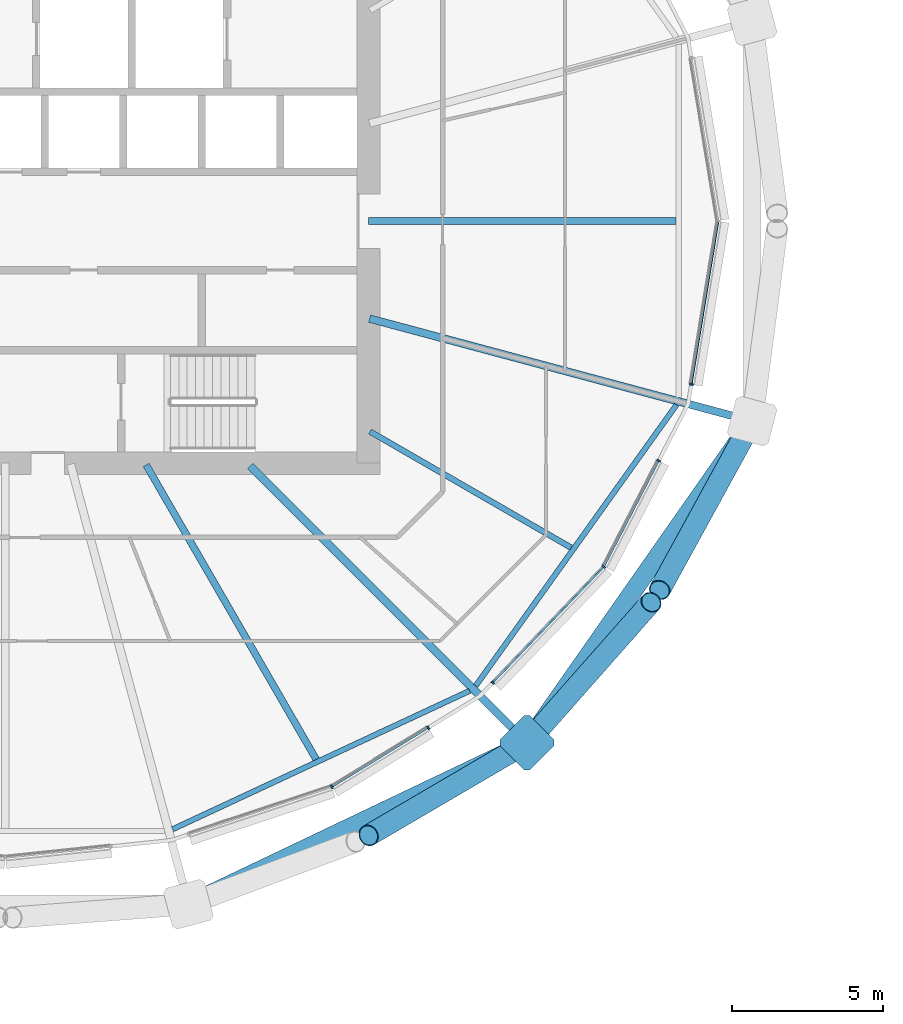
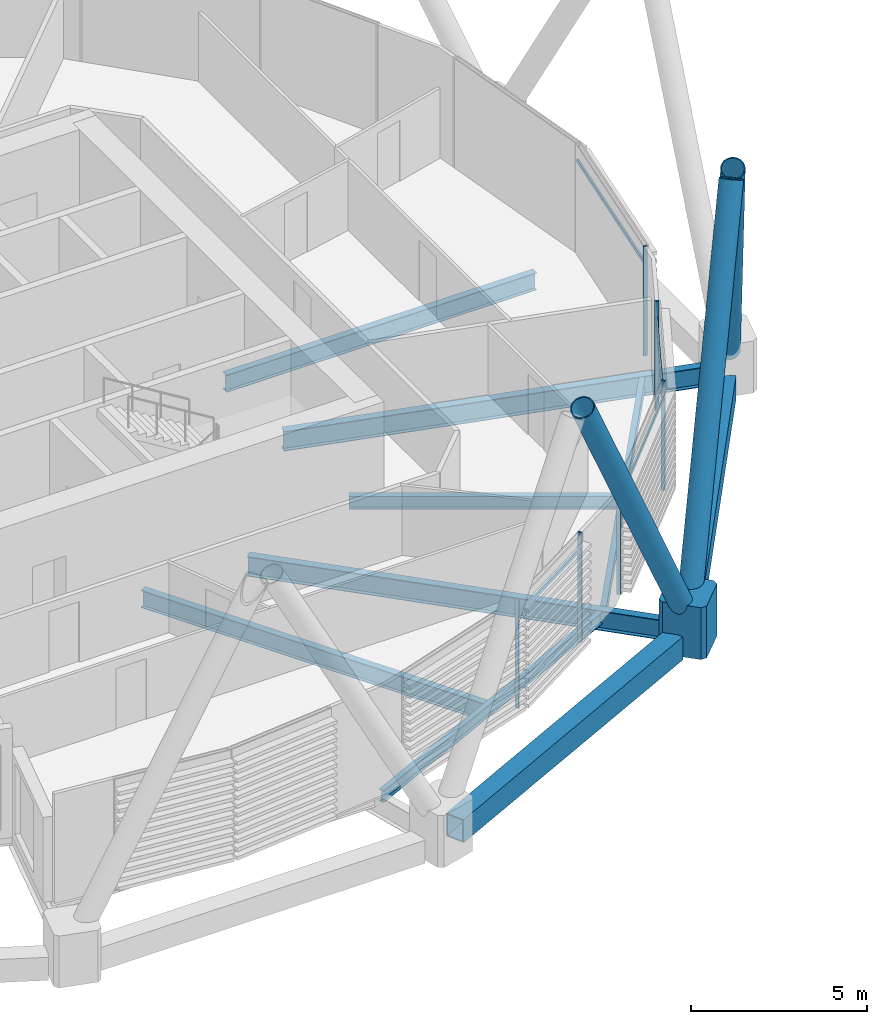
# One storey, part 7 of 38: 14 members, 9 beams, 1 element without a shape of its own.
"""IFC4 building model written with IfcOpenShell, lengths in metres."""

from ifc_helpers import new_model, si_unit, direction, frame, origin, origin_2d, place, context, subcontext, project, spatial, polyline, rectangle, hollow_rectangle, hollow_circle, i_section, outline, extrude, material, material_profile, profile_set, type_object, element, aggregate, save


model = new_model("IFC4")

# Units and contexts
model_context = context("Model", 3, precision=1e-05, world=origin(), true_north=direction((0.0, 1.0)))
body_context = subcontext(model_context, "Body", "Model", "MODEL_VIEW")
ifc_project = project(units=[si_unit("LENGTHUNIT", "METRE"), si_unit("AREAUNIT", "SQUARE_METRE"), si_unit("VOLUMEUNIT", "CUBIC_METRE"), si_unit("PLANEANGLEUNIT", "RADIAN"), si_unit("MASSUNIT", "GRAM", prefix="KILO")], contexts=[model_context])

# Site, building, storey
site_placement = place(None, origin())
site = spatial("IfcSite", under=ifc_project, at=site_placement, CompositionType="ELEMENT")
building_placement = place(site_placement, origin())
building = spatial("IfcBuilding", under=site, at=building_placement, Name="Rimbun Link Towers", CompositionType="ELEMENT")
storey_placement = place(building_placement, frame((0.0, 0.0, 93.0)))
storey = spatial("IfcBuildingStorey", under=building, at=storey_placement, Name="L22", CompositionType="ELEMENT", Elevation=93.0)

# Curtain wall, members
ifc_material_1 = material(Name="Aluminium 6063-T6 and low-iron glass", Category="aluminium")
curtain_wall_type = type_object("IfcCurtainWallType", Name="CW1-Z2 unitised vision wall (zone 2)", PredefinedType="NOTDEFINED", material=ifc_material_1)
curtain_wall_placement = place(storey_placement, origin())
curtain_wall = element("IfcCurtainWall", 1, at=curtain_wall_placement, inside=storey, type_object=curtain_wall_type, Name="CW1 L22 T1", PredefinedType="NOTDEFINED")
ifc_material_2 = material(Name="Aluminium 6063-T6", Category="aluminium")
ifc_material_profile_1 = material_profile(ifc_material_2, rectangle(XDim=0.1201171875, YDim=0.06005859375, at=origin_2d()), Name="MULLION 60X120")
ifc_profile_set_1 = profile_set([ifc_material_profile_1], Name="Aluminium 6063-T6")
member_type_1 = type_object("IfcMemberType", Name="CW1 mullion 60X120", PredefinedType="MULLION", material=ifc_profile_set_1)
member_1_placement = place(storey_placement, frame((-20.959716796875, -18.699951171875, 0.0), z_axis=(0.0, 0.0, 1.0), x_axis=(0.421698890318, -0.906735929532, 0.0)))
member_1 = element("IfcMember", 2, at=member_1_placement, type_object=member_type_1, Name="CW1 mullion", PredefinedType="MULLION", context=body_context, shape_type="SweptSolid", body=[
    extrude(rectangle(XDim=0.1201171875, YDim=0.06005859375, at=origin_2d()), origin(), (0.0, 0.0, 1.0), 3.800048828125),
])
member_2_placement = place(storey_placement, frame((-17.775390625, -16.7451171875, 0.0), z_axis=(0.0, 0.0, 1.0), x_axis=(0.523239240316, -0.852185835011, 0.0)))
member_2 = element("IfcMember", 3, at=member_2_placement, type_object=member_type_1, Name="CW1 mullion", PredefinedType="MULLION", context=body_context, shape_type="SweptSolid", body=[
    extrude(rectangle(XDim=0.1201171875, YDim=0.06005859375, at=origin_2d()), origin(), (0.0, 0.0, 1.0), 3.800048828125),
])
member_3_placement = place(storey_placement, frame((-11.972412109375, -11.42529296875, 0.0), z_axis=(0.0, 0.0, 1.0), x_axis=(0.813351214919, -0.581772980801, 0.0)))
member_3 = element("IfcMember", 4, at=member_3_placement, type_object=member_type_1, Name="CW1 mullion", PredefinedType="MULLION", context=body_context, shape_type="SweptSolid", body=[
    extrude(rectangle(XDim=0.1201171875, YDim=0.06005859375, at=origin_2d()), origin(), (0.0, 0.0, 1.0), 3.800048828125),
])
member_4_placement = place(storey_placement, frame((-15.643798828125, -15.256103515625, 0.0), z_axis=(0.0, 0.0, 1.0), x_axis=(0.721854427226, -0.692044930546, 0.0)))
member_4 = element("IfcMember", 5, at=member_4_placement, type_object=member_type_1, Name="CW1 mullion", PredefinedType="MULLION", context=body_context, shape_type="SweptSolid", body=[
    extrude(rectangle(XDim=0.1201171875, YDim=0.06005859375, at=origin_2d()), origin(), (0.0, 0.0, 1.0), 3.800048828125),
])
member_5_placement = place(storey_placement, frame((-10.158935546875, -7.92236328125, 0.0), z_axis=(0.0, 0.0, 1.0), x_axis=(0.888148629228, -0.45955632125, 0.0)))
member_5 = element("IfcMember", 6, at=member_5_placement, type_object=member_type_1, Name="CW1 mullion", PredefinedType="MULLION", context=body_context, shape_type="SweptSolid", body=[
    extrude(rectangle(XDim=0.1201171875, YDim=0.06005859375, at=origin_2d()), origin(), (0.0, 0.0, 1.0), 3.800048828125),
])
member_6_placement = place(storey_placement, frame((-9.08251953125, -5.39794921875, 0.0), z_axis=(0.0, 0.0, 1.0), x_axis=(0.986748097792, -0.162259642251, 0.0)))
member_6 = element("IfcMember", 7, at=member_6_placement, type_object=member_type_1, Name="CW1 mullion", PredefinedType="MULLION", context=body_context, shape_type="SweptSolid", body=[
    extrude(rectangle(XDim=0.1201171875, YDim=0.06005859375, at=origin_2d()), origin(), (0.0, 0.0, 1.0), 3.800048828125),
])
ifc_material_3 = material(Name="Aluminium 6063-T6", Category="aluminium")
ifc_material_profile_2 = material_profile(ifc_material_3, rectangle(XDim=0.06005859375, YDim=0.1201171875, at=origin_2d()), Name="TRANSOM 60X120")
ifc_profile_set_2 = profile_set([ifc_material_profile_2], Name="Aluminium 6063-T6")
member_type_2 = type_object("IfcMemberType", Name="CW1 transom 60X120", PredefinedType="USERDEFINED", material=ifc_profile_set_2)
member_7_placement = place(storey_placement, frame((-17.802001953125, -16.75927734375, 3.199951171875), z_axis=(-0.85220609578, -0.523206240707, 0.0), x_axis=(0.523206240707, -0.85220609578, 0.0)))
member_7 = element("IfcMember", 8, at=member_7_placement, type_object=member_type_2, Name="CW1 transom", ObjectType="TRANSOM", PredefinedType="USERDEFINED", context=body_context, shape_type="SweptSolid", body=[
    extrude(rectangle(XDim=0.06005859375, YDim=0.1201171875, at=origin_2d()), origin(), (0.0, 0.0, 1.0), 3.66943359375),
])
member_8_placement = place(storey_placement, frame((-12.0, -11.452392578125, 3.199951171875), z_axis=(-0.692056205714, -0.721843617505, 0.0), x_axis=(0.721843617505, -0.692056205714, 0.0)))
member_8 = element("IfcMember", 9, at=member_8_placement, type_object=member_type_2, Name="CW1 transom", ObjectType="TRANSOM", PredefinedType="USERDEFINED", context=body_context, shape_type="SweptSolid", body=[
    extrude(rectangle(XDim=0.06005859375, YDim=0.1201171875, at=origin_2d()), origin(), (0.0, 0.0, 1.0), 5.2373046875),
])
member_9_placement = place(storey_placement, frame((-10.174560546875, -7.947998046875, 3.199951171875), z_axis=(-0.459541145286, -0.888156481589, 0.0), x_axis=(0.888156481589, -0.459541145286, 0.0)))
member_9 = element("IfcMember", 10, at=member_9_placement, type_object=member_type_2, Name="CW1 transom", ObjectType="TRANSOM", PredefinedType="USERDEFINED", context=body_context, shape_type="SweptSolid", body=[
    extrude(rectangle(XDim=0.06005859375, YDim=0.1201171875, at=origin_2d()), origin(), (0.0, 0.0, 1.0), 3.876220703125),
])
member_10_placement = place(storey_placement, frame((-8.203369140625, -0.0390625, 3.199951171875), z_axis=(-0.162250618428, -0.986749581616, 0.0), x_axis=(0.986749581616, -0.162250618428, 0.0)))
member_10 = element("IfcMember", 11, at=member_10_placement, type_object=member_type_2, Name="CW1 transom", ObjectType="TRANSOM", PredefinedType="USERDEFINED", context=body_context, shape_type="SweptSolid", body=[
    extrude(rectangle(XDim=0.06005859375, YDim=0.1201171875, at=origin_2d()), origin(), (0.0, 0.0, 1.0), 5.400390625),
])
aggregate(curtain_wall, [member_1, member_2, member_3, member_4, member_5, member_6, member_7, member_8, member_9, member_10])

# Members
ifc_material_4 = material(Name="Steel S460NH", Category="steel")
ifc_material_profile_3 = material_profile(ifc_material_4, hollow_circle(Radius=0.355712890625, WallThickness=0.031982421875, at=origin_2d()), Name="Diagrid diagonal CHS 711x32")
ifc_profile_set_3 = profile_set([ifc_material_profile_3], Name="Steel S460NH")
member_type_3 = type_object("IfcMemberType", Name="Diagrid diagonal CHS 711x32", PredefinedType="BRACE", material=ifc_profile_set_3)
member_11_placement = place(storey_placement, frame((-14.720458984375, -17.36083984375, 0.4375), z_axis=(-0.417935584377, -0.244636310109, 0.874918809426), x_axis=(0.505165498138, -0.863022490721, 0.0)))
element("IfcMember", 12, at=member_11_placement, inside=storey, type_object=member_type_3, Name="Diagrid diagonal T1 L22-L25 21a", PredefinedType="BRACE", context=body_context, shape_type="SweptSolid", body=[
    extrude(hollow_circle(Radius=0.355712890625, WallThickness=0.031982421875, at=origin_2d()), origin(), (0.0, 0.0, 1.0), 12.029541015625),
])
member_12_placement = place(storey_placement, frame((-14.348876953125, -17.05419921875, 0.435302734375), z_axis=(0.325481387315, 0.368586825062, 0.870750032387), x_axis=(-0.749577782131, 0.661916270034, 0.0)))
element("IfcMember", 13, at=member_12_placement, inside=storey, type_object=member_type_3, Name="Diagrid diagonal T1 L22-L25 21b", PredefinedType="BRACE", context=body_context, shape_type="SweptSolid", body=[
    extrude(hollow_circle(Radius=0.355712890625, WallThickness=0.031982421875, at=origin_2d()), origin(), (0.0, 0.0, 1.0), 12.09228515625),
])
member_13_placement = place(storey_placement, frame((-7.1943359375, -6.83203125, 0.4326171875), z_axis=(-0.241023438842, -0.440152417672, 0.864970260267), x_axis=(0.877106684974, -0.480295599787, 0.0)))
element("IfcMember", 14, at=member_13_placement, inside=storey, type_object=member_type_3, Name="Diagrid diagonal T1 L22-L25 23a", PredefinedType="BRACE", context=body_context, shape_type="SweptSolid", body=[
    extrude(hollow_circle(Radius=0.355712890625, WallThickness=0.031982421875, at=origin_2d()), origin(), (0.0, 0.0, 1.0), 12.179443359375),
])
ifc_material_5 = material(Name="Cast steel G20Mn5+QT, Rp0.2 300 MPa", Category="steel")
ifc_material_profile_4 = material_profile(ifc_material_5, outline(polyline([(0.699951171875, -0.570068359375), (0.699951171875, 0.570068359375), (0.570068359375, 0.699951171875), (-0.570068359375, 0.699951171875), (-0.699951171875, 0.570068359375), (-0.699951171875, -0.570068359375), (-0.570068359375, -0.699951171875), (0.570068359375, -0.699951171875), (0.699951171875, -0.570068359375)])), Name="NODE 1400x1400")
ifc_profile_set_4 = profile_set([ifc_material_profile_4], Name="Cast steel G20Mn5+QT, Rp0.2 300 MPa")
member_type_4 = type_object("IfcMemberType", Name="Diagrid node cast 1400", PredefinedType="USERDEFINED", material=ifc_profile_set_4)
member_14_placement = place(storey_placement, frame((-14.511474609375, -17.238525390625, -0.89990234375), z_axis=(0.0, 0.0, 1.0), x_axis=(0.707106781187, -0.707106781187, 0.0)))
element("IfcMember", 15, at=member_14_placement, inside=storey, type_object=member_type_4, Name="Diagrid node L22 21", ObjectType="Diagrid node", PredefinedType="USERDEFINED", context=body_context, shape_type="SweptSolid", body=[
    extrude(outline(polyline([(0.699951171875, -0.570068359375), (0.699951171875, 0.570068359375), (0.570068359375, 0.699951171875), (-0.570068359375, 0.699951171875), (-0.699951171875, 0.570068359375), (-0.699951171875, -0.570068359375), (-0.570068359375, -0.699951171875), (0.570068359375, -0.699951171875), (0.699951171875, -0.570068359375)])), origin(), (0.0, 0.0, 1.0), 1.7998046875),
])

# Beams
ifc_material_6 = material(Name="Steel S355J2", Category="steel")
ifc_material_profile_5 = material_profile(ifc_material_6, hollow_rectangle(XDim=0.60009765625, YDim=0.800048828125, WallThickness=0.0400390625, at=origin_2d()), Name="Exoskeleton ring girder BOX 600x800x40")
ifc_profile_set_5 = profile_set([ifc_material_profile_5], Name="Steel S355J2")
beam_type_1 = type_object("IfcBeamType", Name="Exoskeleton ring girder BOX 600x800x40", PredefinedType="BEAM", material=ifc_profile_set_5)
beam_1_placement = place(storey_placement, frame((-25.0693359375, -22.273193359375, -0.56005859375), z_axis=(0.902623188498, 0.430431620105, 0.0), x_axis=(-0.430431620105, 0.902623188498, 0.0)))
element("IfcBeam", 16, at=beam_1_placement, inside=storey, type_object=beam_type_1, Name="Exoskeleton ring girder L22 09", PredefinedType="BEAM", context=body_context, shape_type="SweptSolid", body=[
    extrude(hollow_rectangle(XDim=0.60009765625, YDim=0.800048828125, WallThickness=0.0400390625, at=origin_2d()), origin(), (0.0, 0.0, 1.0), 10.996826171875),
])
beam_2_placement = place(storey_placement, frame((-14.110107421875, -16.6650390625, -0.56005859375), z_axis=(0.573401451452, 0.819274542185, 0.0), x_axis=(-0.819274542185, 0.573401451452, 0.0)))
element("IfcBeam", 17, at=beam_2_placement, inside=storey, type_object=beam_type_1, Name="Exoskeleton ring girder L22 10", PredefinedType="BEAM", context=body_context, shape_type="SweptSolid", body=[
    extrude(hollow_rectangle(XDim=0.60009765625, YDim=0.800048828125, WallThickness=0.0400390625, at=origin_2d()), origin(), (0.0, 0.0, 1.0), 11.57080078125),
])
ifc_material_7 = material(Name="Steel S355J2", Category="steel")
ifc_material_profile_6 = material_profile(ifc_material_7, i_section(OverallWidth=0.177978515625, OverallDepth=0.406494140625, WebThickness=0.0078125, FlangeThickness=0.0126953125, at=origin_2d()), Name="UB 406x178x60")
ifc_profile_set_6 = profile_set([ifc_material_profile_6], Name="Steel S355J2")
beam_type_2 = type_object("IfcBeamType", Name="UB 406x178x60", PredefinedType="BEAM", material=ifc_profile_set_6)
beam_3_placement = place(storey_placement, frame((-26.225341796875, -20.09912109375, -0.36328125), z_axis=(0.906386298275, 0.422449853, 0.0), x_axis=(-0.422449853, 0.906386298275, 0.0)))
element("IfcBeam", 18, at=beam_3_placement, inside=storey, type_object=beam_type_2, Name="Edge beam T1 L22 19-21", PredefinedType="BEAM", context=body_context, shape_type="SweptSolid", body=[
    extrude(i_section(OverallWidth=0.177978515625, OverallDepth=0.406494140625, WebThickness=0.0078125, FlangeThickness=0.0126953125, at=origin_2d()), origin(), (0.0, 0.0, 1.0), 10.831787109375),
])
beam_4_placement = place(storey_placement, frame((-16.208740234375, -15.3603515625, -0.36328125), z_axis=(0.581367694083, 0.813640955383, 0.0), x_axis=(-0.813640955383, 0.581367694083, 0.0)))
element("IfcBeam", 19, at=beam_4_placement, inside=storey, type_object=beam_type_2, Name="Edge beam T1 L22 21-23", PredefinedType="BEAM", context=body_context, shape_type="SweptSolid", body=[
    extrude(i_section(OverallWidth=0.177978515625, OverallDepth=0.406494140625, WebThickness=0.0078125, FlangeThickness=0.0126953125, at=origin_2d()), origin(), (0.0, 0.0, 1.0), 11.412841796875),
])
ifc_material_8 = material(Name="Steel S355J2", Category="steel")
ifc_material_profile_7 = material_profile(ifc_material_8, i_section(OverallWidth=0.18994140625, OverallDepth=0.453369140625, WebThickness=0.008544921875, FlangeThickness=0.0126953125, at=origin_2d()), Name="UB 457x191x67")
ifc_profile_set_7 = profile_set([ifc_material_profile_7], Name="Steel S355J2")
beam_type_3 = type_object("IfcBeamType", Name="UB 457x191x67", PredefinedType="BEAM", material=ifc_profile_set_7)
beam_5_placement = place(storey_placement, frame((-19.70166015625, -6.9560546875, -0.38671875), z_axis=(0.866012339475, -0.500022627366, 0.0), x_axis=(0.500022627366, 0.866012339475, 0.0)))
element("IfcBeam", 20, at=beam_5_placement, inside=storey, type_object=beam_type_3, Name="Radial beam T1 L22 22", PredefinedType="BEAM", context=body_context, shape_type="SweptSolid", body=[
    extrude(i_section(OverallWidth=0.18994140625, OverallDepth=0.453369140625, WebThickness=0.008544921875, FlangeThickness=0.0126953125, at=origin_2d()), origin(), (0.0, 0.0, 1.0), 7.674072265625),
])
ifc_material_9 = material(Name="Steel S355J2", Category="steel")
ifc_material_profile_8 = material_profile(ifc_material_9, i_section(OverallWidth=0.2275390625, OverallDepth=0.6025390625, WebThickness=0.010498046875, FlangeThickness=0.014892578125, at=origin_2d()), Name="UB 610x229x101")
ifc_profile_set_8 = profile_set([ifc_material_profile_8], Name="Steel S355J2")
beam_type_4 = type_object("IfcBeamType", Name="UB 610x229x101", PredefinedType="BEAM", material=ifc_profile_set_8)
beam_6_placement = place(storey_placement, frame((-19.7490234375, 0.0, -0.461181640625), z_axis=(1.0, 0.0, 0.0), x_axis=(0.0, 1.0, 0.0)))
element("IfcBeam", 21, at=beam_6_placement, inside=storey, type_object=beam_type_4, Name="Radial beam T1 L22 00", PredefinedType="BEAM", context=body_context, shape_type="SweptSolid", body=[
    extrude(i_section(OverallWidth=0.2275390625, OverallDepth=0.6025390625, WebThickness=0.010498046875, FlangeThickness=0.014892578125, at=origin_2d()), origin(), (0.0, 0.0, 1.0), 10.16455078125),
])
beam_7_placement = place(storey_placement, frame((-27.097900390625, -8.057861328125, -0.461181640625), z_axis=(0.50001148964, -0.866018770136, 0.0), x_axis=(0.866018770136, 0.50001148964, 0.0)))
element("IfcBeam", 22, at=beam_7_placement, inside=storey, type_object=beam_type_4, Name="Radial beam T1 L22 20", PredefinedType="BEAM", context=body_context, shape_type="SweptSolid", body=[
    extrude(i_section(OverallWidth=0.2275390625, OverallDepth=0.6025390625, WebThickness=0.010498046875, FlangeThickness=0.014892578125, at=origin_2d()), origin(), (0.0, 0.0, 1.0), 11.235595703125),
])
ifc_material_10 = material(Name="Steel S355J2", Category="steel")
ifc_material_profile_9 = material_profile(ifc_material_10, i_section(OverallWidth=0.253662109375, OverallDepth=0.68359375, WebThickness=0.012451171875, FlangeThickness=0.01904296875, at=origin_2d()), Name="UB 686x254x140")
ifc_profile_set_9 = profile_set([ifc_material_profile_9], Name="Steel S355J2")
beam_type_5 = type_object("IfcBeamType", Name="UB 686x254x140", PredefinedType="BEAM", material=ifc_profile_set_9)
beam_8_placement = place(storey_placement, frame((-23.65966796875, -8.09033203125, -0.501708984375), z_axis=(0.707106781187, -0.707106781187, 0.0), x_axis=(0.707106781187, 0.707106781187, 0.0)))
element("IfcBeam", 23, at=beam_8_placement, inside=storey, type_object=beam_type_5, Name="Radial beam T1 L22 21", PredefinedType="BEAM", context=body_context, shape_type="SweptSolid", body=[
    extrude(i_section(OverallWidth=0.253662109375, OverallDepth=0.68359375, WebThickness=0.012451171875, FlangeThickness=0.01904296875, at=origin_2d()), origin(), (0.0, 0.0, 1.0), 12.4375),
])
beam_9_placement = place(storey_placement, frame((-19.71630859375, -3.224365234375, -0.501708984375), z_axis=(0.965926842192, -0.25881525367, 0.0), x_axis=(0.25881525367, 0.965926842192, 0.0)))
element("IfcBeam", 24, at=beam_9_placement, inside=storey, type_object=beam_type_5, Name="Radial beam T1 L22 23", PredefinedType="BEAM", context=body_context, shape_type="SweptSolid", body=[
    extrude(i_section(OverallWidth=0.253662109375, OverallDepth=0.68359375, WebThickness=0.012451171875, FlangeThickness=0.01904296875, at=origin_2d()), origin(), (0.0, 0.0, 1.0), 12.58837890625),
])

save(model, "model.ifc")
